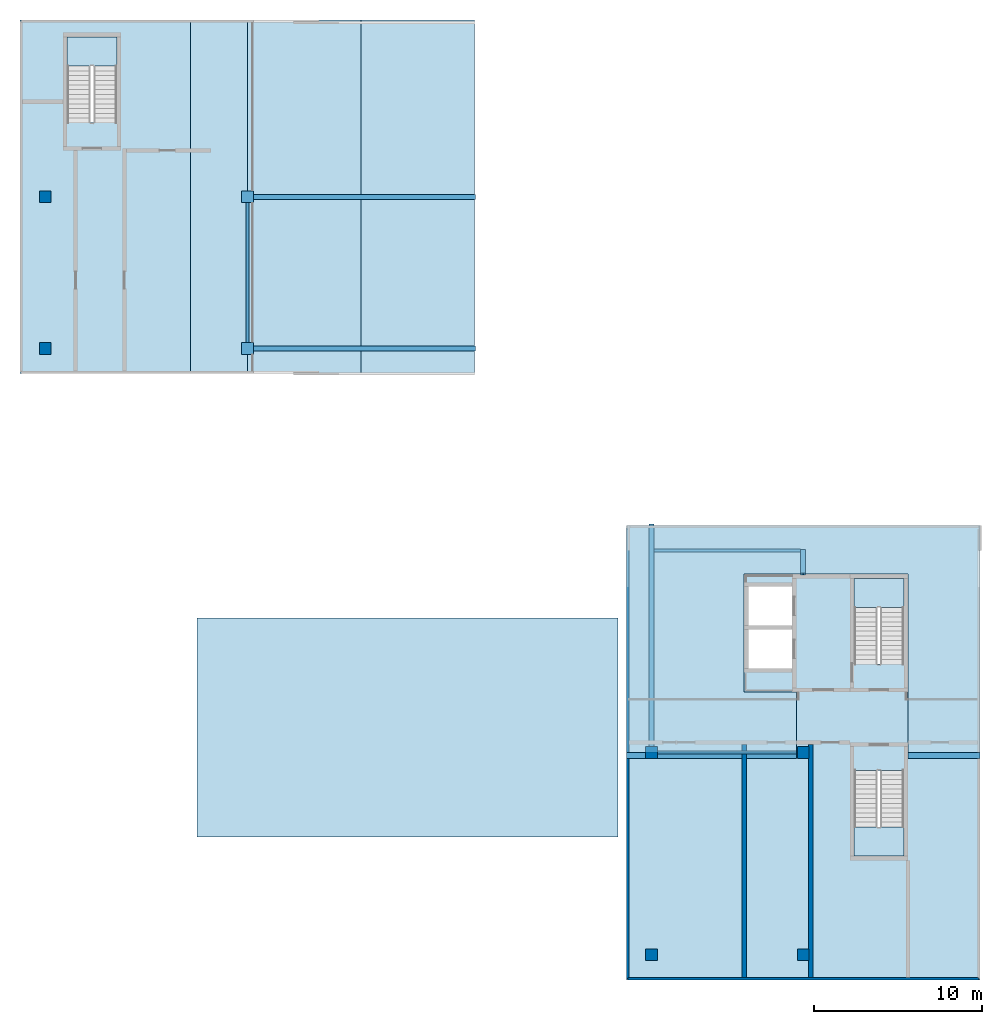
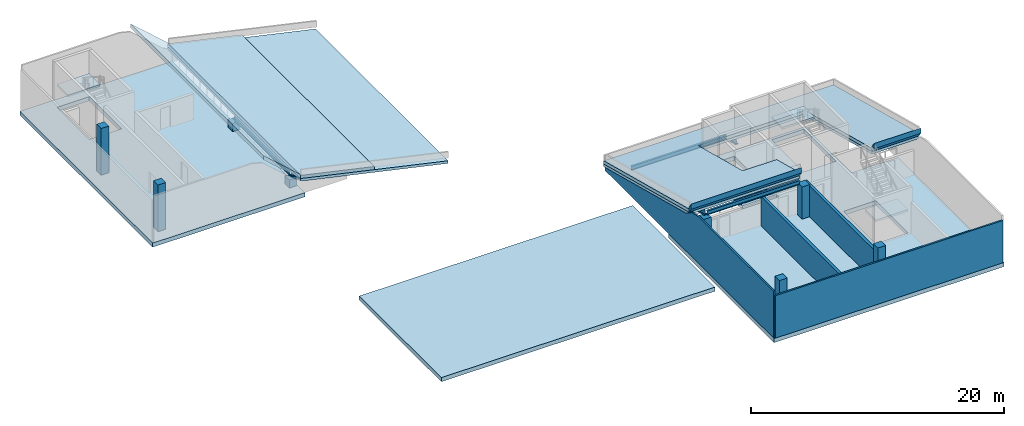
# One storey, part 1 of 4: 13 slabs, 8 columns, 7 beams, 4 walls, 3 elements without a shape of their own.
"""IFC4 building model written with IfcOpenShell, lengths in metres."""

from ifc_helpers import new_model, si_unit, direction, frame, frame_2d, origin, origin_2d, place, context, subcontext, project, spatial, polyline, rectangle, i_section, outline, extrude, material, layer, layer_set, material_profile, profile_set, type_object, element, aggregate, save


model = new_model("IFC4")

# Units and contexts
model_context = context("Model", 3, precision=1e-05, world=origin(), true_north=direction((0.0, 1.0)))
body_context = subcontext(model_context, "Body", "Model", "MODEL_VIEW")
ifc_project = project(units=[si_unit("LENGTHUNIT", "METRE"), si_unit("AREAUNIT", "SQUARE_METRE"), si_unit("VOLUMEUNIT", "CUBIC_METRE"), si_unit("PLANEANGLEUNIT", "RADIAN"), si_unit("MASSUNIT", "GRAM", prefix="KILO")], contexts=[model_context])

# Site, building, storey
site_placement = place(None, origin())
site = spatial("IfcSite", under=ifc_project, at=site_placement, CompositionType="ELEMENT")
building_placement = place(site_placement, origin())
building = spatial("IfcBuilding", under=site, at=building_placement, Name="Chenar Terraces", CompositionType="ELEMENT")
storey_placement = place(building_placement, frame((0.0, 0.0, 388.89990234375)))
storey = spatial("IfcBuildingStorey", under=building, at=storey_placement, Name="L91", CompositionType="ELEMENT", Elevation=388.89990234375)

# Columns
ifc_material_1 = material(Name="Concrete C40/50", Category="concrete")
ifc_material_profile_1 = material_profile(ifc_material_1, rectangle(XDim=0.699951171875, YDim=0.699951171875, at=origin_2d()), Name="C 700 x 700")
ifc_profile_set_1 = profile_set([ifc_material_profile_1], Name="Concrete C40/50")
column_type = type_object("IfcColumnType", Name="Column C 700 x 700 Concrete C40/50", PredefinedType="COLUMN", material=ifc_profile_set_1)
column_1_placement = place(storey_placement, frame((36.0, 0.0, 0.0), z_axis=(0.0, 0.0, 1.0), x_axis=(1.0, 0.0, 0.0)))
element("IfcColumn", 1, at=column_1_placement, inside=storey, type_object=column_type, Name="Column 8/E L91", PredefinedType="COLUMN", context=body_context, shape_type="SweptSolid", body=[
    extrude(rectangle(XDim=0.699951171875, YDim=0.699951171875, at=origin_2d()), origin(), (0.0, 0.0, 1.0), 4.5),
])
column_2_placement = place(storey_placement, frame((36.0, 12.0, 0.0), z_axis=(0.0, 0.0, 1.0), x_axis=(1.0, 0.0, 0.0)))
element("IfcColumn", 2, at=column_2_placement, inside=storey, type_object=column_type, Name="Column 8/F L91", PredefinedType="COLUMN", context=body_context, shape_type="SweptSolid", body=[
    extrude(rectangle(XDim=0.699951171875, YDim=0.699951171875, at=origin_2d()), origin(), (0.0, 0.0, 1.0), 3.12060546875),
])
column_3_placement = place(storey_placement, frame((45.0, 0.0, 0.0), z_axis=(0.0, 0.0, 1.0), x_axis=(1.0, 0.0, 0.0)))
element("IfcColumn", 3, at=column_3_placement, inside=storey, type_object=column_type, Name="Column 9/E L91", PredefinedType="COLUMN", context=body_context, shape_type="SweptSolid", body=[
    extrude(rectangle(XDim=0.699951171875, YDim=0.699951171875, at=origin_2d()), origin(), (0.0, 0.0, 1.0), 4.5),
])
column_4_placement = place(storey_placement, frame((45.0, 12.0, 0.0), z_axis=(0.0, 0.0, 1.0), x_axis=(1.0, 0.0, 0.0)))
element("IfcColumn", 4, at=column_4_placement, inside=storey, type_object=column_type, Name="Column 9/F L91", PredefinedType="COLUMN", context=body_context, shape_type="SweptSolid", body=[
    extrude(rectangle(XDim=0.699951171875, YDim=0.699951171875, at=origin_2d()), origin(), (0.0, 0.0, 1.0), 3.12060546875),
])
for number, where, z_axis, x_axis, name in (
    (5, (0.0, 36.0, 0.0), (0.0, 0.0, 1.0), (1.0, 0.0, 0.0), "Column 5/H L91"),
    (6, (0.0, 45.0, 0.0), (0.0, 0.0, 1.0), (1.0, 0.0, 0.0), "Column 5/J L91"),
):
    element("IfcColumn", number, at=place(storey_placement, frame(where, z_axis=z_axis, x_axis=x_axis)), inside=storey, type_object=column_type, Name=name, PredefinedType="COLUMN", context=body_context, shape_type="SweptSolid", body=[
        extrude(rectangle(XDim=0.699951171875, YDim=0.699951171875, at=origin_2d()), origin(), (0.0, 0.0, 1.0), 4.5),
    ])
for number, where, z_axis, x_axis, name in (
    (7, (12.0, 36.0, 0.0), (0.0, 0.0, 1.0), (1.0, 0.0, 0.0), "Column 6/H L91"),
    (8, (12.0, 45.0, 0.0), (0.0, 0.0, 1.0), (1.0, 0.0, 0.0), "Column 6/J L91"),
):
    element("IfcColumn", number, at=place(storey_placement, frame(where, z_axis=z_axis, x_axis=x_axis)), inside=storey, type_object=column_type, Name=name, PredefinedType="COLUMN", context=body_context, shape_type="SweptSolid", body=[
        extrude(rectangle(XDim=0.699951171875, YDim=0.699951171875, at=origin_2d()), origin(), (0.0, 0.0, 1.0), 0.774169921875),
    ])

# Beams
ifc_material_2 = material(Name="Structural steel S355", Category="steel")
ifc_material_profile_2 = material_profile(ifc_material_2, i_section(OverallWidth=0.169921875, OverallDepth=0.360107421875, WebThickness=0.008056640625, FlangeThickness=0.0126953125, FilletRadius=0.01806640625, at=origin_2d()), Name="IPE 360")
ifc_profile_set_2 = profile_set([ifc_material_profile_2], Name="Structural steel S355")
beam_type_1 = type_object("IfcBeamType", Name="Peak roof purlin IPE 360 S355", PredefinedType="BEAM", material=ifc_profile_set_2)
beam_1_placement = place(storey_placement, frame((12.0, 36.14990234375, 0.989990234375), z_axis=(0.0, 1.0, 0.0), x_axis=(-1.0, 0.0, 0.0)))
element("IfcBeam", 9, at=beam_1_placement, inside=storey, type_object=beam_type_1, Name="Peak roof purlin B 3", PredefinedType="BEAM", context=body_context, shape_type="SweptSolid", body=[
    extrude(i_section(OverallWidth=0.169921875, OverallDepth=0.360107421875, WebThickness=0.008056640625, FlangeThickness=0.0126953125, FilletRadius=0.01806640625, at=origin_2d()), origin(), (0.0, 0.0, 1.0), 8.7001953125),
])
ifc_material_3 = material(Name="Structural steel S355", Category="steel")
ifc_material_profile_3 = material_profile(ifc_material_3, i_section(OverallWidth=0.179931640625, OverallDepth=0.39990234375, WebThickness=0.008544921875, FlangeThickness=0.013427734375, FilletRadius=0.02099609375, at=origin_2d()), Name="IPE 400")
ifc_profile_set_3 = profile_set([ifc_material_profile_3], Name="Structural steel S355")
beam_type_2 = type_object("IfcBeamType", Name="Peak roof purlin IPE 400 S355", PredefinedType="BEAM", material=ifc_profile_set_3)
beam_2_placement = place(storey_placement, frame((36.14990234375, 24.0, 0.43359375), z_axis=(1.0, 0.0, 0.0), x_axis=(0.0, 1.0, 0.0)))
element("IfcBeam", 10, at=beam_2_placement, inside=storey, type_object=beam_type_2, Name="Peak roof purlin A 2", PredefinedType="BEAM", context=body_context, shape_type="SweptSolid", body=[
    extrude(i_section(OverallWidth=0.179931640625, OverallDepth=0.39990234375, WebThickness=0.008544921875, FlangeThickness=0.013427734375, FilletRadius=0.02099609375, at=origin_2d()), origin(), (0.0, 0.0, 1.0), 8.7001953125),
])
beam_3_placement = place(storey_placement, frame((36.14990234375, 12.0, 3.40478515625), z_axis=(1.0, 0.0, 0.0), x_axis=(0.0, 1.0, 0.0)))
element("IfcBeam", 11, at=beam_3_placement, inside=storey, type_object=beam_type_2, Name="Peak roof purlin A 3", PredefinedType="BEAM", context=body_context, shape_type="SweptSolid", body=[
    extrude(i_section(OverallWidth=0.179931640625, OverallDepth=0.39990234375, WebThickness=0.008544921875, FlangeThickness=0.013427734375, FilletRadius=0.02099609375, at=origin_2d()), origin(), (0.0, 0.0, 1.0), 8.4501953125),
])
ifc_material_4 = material(Name="Structural steel S355", Category="steel")
ifc_material_profile_4 = material_profile(ifc_material_4, i_section(OverallWidth=0.300048828125, OverallDepth=0.39990234375, WebThickness=0.013427734375, FlangeThickness=0.02392578125, FilletRadius=0.027099609375, at=origin_2d()), Name="HEB 400")
ifc_profile_set_4 = profile_set([ifc_material_profile_4], Name="Structural steel S355")
beam_type_3 = type_object("IfcBeamType", Name="Peak roof rafter HEB 400 S355", PredefinedType="BEAM", material=ifc_profile_set_4)
for number, where, z_axis, x_axis, name in (
    (12, (25.5, 36.0, -1.9609375), (-0.976127211362, 0.0, 0.217199602297), (0.0, -1.0, 0.0), "Peak roof rafter B1 part 1"),
    (13, (25.5, 45.0, -1.9609375), (-0.976127211362, 0.0, 0.217199602297), (0.0, -1.0, 0.0), "Peak roof rafter B2 part 1"),
):
    element("IfcBeam", number, at=place(storey_placement, frame(where, z_axis=z_axis, x_axis=x_axis)), inside=storey, type_object=beam_type_3, Name=name, PredefinedType="BEAM", context=body_context, shape_type="SweptSolid", body=[
        extrude(i_section(OverallWidth=0.300048828125, OverallDepth=0.39990234375, WebThickness=0.013427734375, FlangeThickness=0.02392578125, FilletRadius=0.027099609375, at=origin_2d()), origin(), (0.0, 0.0, 1.0), 13.830078125),
    ])
ifc_material_5 = material(Name="Structural steel S355", Category="steel")
ifc_material_profile_5 = material_profile(ifc_material_5, i_section(OverallWidth=0.300048828125, OverallDepth=0.5, WebThickness=0.014404296875, FlangeThickness=0.028076171875, FilletRadius=0.027099609375, at=origin_2d()), Name="HEB 500")
ifc_profile_set_5 = profile_set([ifc_material_profile_5], Name="Structural steel S355")
beam_type_4 = type_object("IfcBeamType", Name="Peak roof rafter HEB 500 S355", PredefinedType="BEAM", material=ifc_profile_set_5)
beam_4_placement = place(storey_placement, frame((36.0, 25.5, -0.0166015625), z_axis=(0.0, -0.967536208052, 0.252732439762), x_axis=(1.0, 0.0, 0.0)))
element("IfcBeam", 14, at=beam_4_placement, inside=storey, type_object=beam_type_4, Name="Peak roof rafter A1 part 1", PredefinedType="BEAM", context=body_context, shape_type="SweptSolid", body=[
    extrude(i_section(OverallWidth=0.300048828125, OverallDepth=0.5, WebThickness=0.014404296875, FlangeThickness=0.028076171875, FilletRadius=0.027099609375, at=origin_2d()), origin(), (0.0, 0.0, 1.0), 13.952880859375),
])
beam_5_placement = place(storey_placement, frame((45.0, 24.0, 0.375244140625), z_axis=(0.0, -0.967527617537, 0.252765324567), x_axis=(1.0, 0.0, 0.0)))
element("IfcBeam", 15, at=beam_5_placement, inside=storey, type_object=beam_type_4, Name="Peak roof rafter A2 part 1", PredefinedType="BEAM", context=body_context, shape_type="SweptSolid", body=[
    extrude(i_section(OverallWidth=0.300048828125, OverallDepth=0.5, WebThickness=0.014404296875, FlangeThickness=0.028076171875, FilletRadius=0.027099609375, at=origin_2d()), origin(), (0.0, 0.0, 1.0), 1.44677734375),
])

# Stair, slab
ifc_material_6 = material(Name="Reinforced concrete C40/50", Category="concrete")
stair_type = type_object("IfcStairType", Name="Core stair 1400 half-turn", PredefinedType="HALF_TURN_STAIR", material=ifc_material_6)
placement_1 = place(storey_placement, origin())
stair_1 = element("IfcStair", 16, at=placement_1, inside=storey, type_object=stair_type, Name="L91 Stair 3", PredefinedType="HALF_TURN_STAIR")
ifc_material_7 = material(Name="Reinforced concrete C40/50", Category="concrete")
ifc_layer_1 = layer(ifc_material_7, 0.199951171875)
ifc_layer_set_1 = layer_set([ifc_layer_1], Name="Reinforced concrete C40/50")
slab_type_1 = type_object("IfcSlabType", Name="Core stair landing 200", PredefinedType="LANDING", material=ifc_layer_set_1)
placement_2 = place(storey_placement, frame((0.0, 0.0, 2.050048828125)))
slab_1 = element("IfcSlab", 17, at=placement_2, type_object=slab_type_1, Name="ST3 landing 1", PredefinedType="LANDING", context=body_context, shape_type="SweptSolid", body=[
    extrude(outline(polyline([(50.97509765625, 20.610107421875), (50.97509765625, 22.35009765625), (48.02490234375, 22.35009765625), (48.02490234375, 20.610107421875), (50.97509765625, 20.610107421875)])), origin(), (0.0, 0.0, 1.0), 0.199951171875),
])
aggregate(stair_1, [slab_1])

stair_2 = element("IfcStair", 18, at=placement_1, inside=storey, type_object=stair_type, Name="L91 Stair 5", PredefinedType="HALF_TURN_STAIR")
slab_2 = element("IfcSlab", 19, at=placement_2, type_object=slab_type_1, Name="ST5 landing 1", PredefinedType="LANDING", context=body_context, shape_type="SweptSolid", body=[
    extrude(outline(polyline([(48.02490234375, 7.590087890625), (48.02490234375, 5.85009765625), (50.97509765625, 5.85009765625), (50.97509765625, 7.590087890625), (48.02490234375, 7.590087890625)])), origin(), (0.0, 0.0, 1.0), 0.199951171875),
])
aggregate(stair_2, [slab_2])

stair_3 = element("IfcStair", 20, at=placement_1, inside=storey, type_object=stair_type, Name="L91 Stair 6", PredefinedType="HALF_TURN_STAIR")
slab_3 = element("IfcSlab", 21, at=placement_2, type_object=slab_type_1, Name="ST6 landing 1", PredefinedType="LANDING", context=body_context, shape_type="SweptSolid", body=[
    extrude(outline(polyline([(4.25, 52.760009765625), (4.25, 54.5), (1.300048828125, 54.5), (1.300048828125, 52.760009765625), (4.25, 52.760009765625)])), origin(), (0.0, 0.0, 1.0), 0.199951171875),
])
aggregate(stair_3, [slab_3])

# Slabs
ifc_material_8 = material(Name="Concrete C40/50", Category="concrete")
ifc_layer_2 = layer(ifc_material_8, 0.39990234375)
ifc_layer_set_2 = layer_set([ifc_layer_2], Name="Concrete C40/50")
slab_type_2 = type_object("IfcSlabType", Name="Floor slab 400 Concrete C40/50", PredefinedType="FLOOR", material=ifc_layer_set_2)
placement_3 = place(storey_placement, frame((0.0, 0.0, -0.39990234375)))
element("IfcSlab", 22, at=placement_3, inside=storey, type_object=slab_type_2, Name="Floor slab L91", PredefinedType="FLOOR", context=body_context, shape_type="SweptSolid", body=[
    extrude(outline(polyline([(34.5, -1.5), (34.5, 15.25), (44.60009765625, 15.25), (44.60009765625, 15.60009765625), (41.5, 15.60009765625), (41.5, 22.60009765625), (47.77490234375, 22.60009765625), (51.22509765625, 22.60009765625), (51.22509765625, 15.60009765625), (51.22509765625, 15.25), (55.5, 15.25), (55.5, -1.5), (34.5, -1.5)]), holes=[polyline([(50.97509765625, 10.949951171875), (48.02490234375, 10.949951171875), (48.02490234375, 5.85009765625), (50.97509765625, 5.85009765625), (50.97509765625, 10.949951171875)]), polyline([(41.75, 17.0), (44.35009765625, 17.0), (44.35009765625, 19.300048828125), (41.75, 19.300048828125), (41.75, 17.0)]), polyline([(48.02490234375, 17.25), (50.97509765625, 17.25), (50.97509765625, 22.35009765625), (48.02490234375, 22.35009765625), (48.02490234375, 17.25)]), polyline([(41.75, 21.85009765625), (41.75, 19.550048828125), (44.35009765625, 19.550048828125), (44.35009765625, 21.85009765625), (41.75, 21.85009765625)])]), origin(), (0.0, 0.0, 1.0), 0.39990234375),
])
element("IfcSlab", 23, at=placement_3, inside=storey, type_object=slab_type_2, Name="Floor slab L91 part 2", PredefinedType="FLOOR", context=body_context, shape_type="SweptSolid", body=[
    extrude(outline(polyline([(12.39990234375, 55.5), (12.39990234375, 34.5), (-1.5, 34.5), (-1.5, 55.5), (12.39990234375, 55.5)]), holes=[polyline([(1.300048828125, 54.5), (1.300048828125, 49.39990234375), (4.25, 49.39990234375), (4.25, 54.5), (1.300048828125, 54.5)])]), origin(), (0.0, 0.0, 1.0), 0.39990234375),
])
ifc_material_9 = material(Name="Concrete C40/50", Category="concrete")
ifc_layer_3 = layer(ifc_material_9, 0.25)
ifc_layer_set_3 = layer_set([ifc_layer_3], Name="Concrete C40/50")
slab_type_3 = type_object("IfcSlabType", Name="Roof deck 250 Concrete C40/50", PredefinedType="ROOF", material=ifc_layer_set_3)
slab_6_placement = place(storey_placement, frame((51.22509765625, 12.60009765625, 3.869873046875), z_axis=(1.93261e-07, 0.252749618472, 0.967531720597), x_axis=(0.0, 0.967531720597, -0.252749618472)))
element("IfcSlab", 24, at=slab_6_placement, inside=storey, type_object=slab_type_3, Name="Roof deck peak A facet 1", PredefinedType="ROOF", context=body_context, shape_type="SweptSolid", body=[
    extrude(outline(polyline([(0.0, 0.0), (3.1006728657218168, 5.293955920339377e-23), (10.335576219072724, 1.0587911840678754e-22), (10.335576219073275, 3.4501953124999356), (10.335576219074277, 9.725097656249819), (3.100672865723369, 9.725097656249819), (3.100672865722874, 6.6249999999998765), (-0.6202290586628956, 6.624999999995106), (-0.6202290586612835, 16.725097656244916), (13.332798837086894, 16.725097656244916), (13.332798837083542, -4.2749023437546905), (-0.6202290586646353, -4.2749023437546905), (-0.620229058663953, -4.770168340097396e-12), (0.0, 0.0)])), origin(), (0.252749618472, -1.86986e-07, -0.967531720597), 0.25830078125),
])
slab_7_placement = place(storey_placement, frame((25.5, 34.5, -1.5), z_axis=(0.217199602297, 0.0, 0.976127211362), x_axis=(0.0, 1.0, 0.0)))
element("IfcSlab", 25, at=slab_7_placement, inside=storey, type_object=slab_type_3, Name="Roof deck peak B facet 1", PredefinedType="ROOF", context=body_context, shape_type="SweptSolid", body=[
    extrude(outline(polyline([(0.0, 0.0), (21.0, 0.0), (21.0, 13.830164596229109), (0.0, 13.830164596229109), (0.0, 0.0)])), origin(), (0.0, -0.217199602297, -0.976127211362), 0.256103515625),
])
ifc_material_10 = material(Name="Concrete C40/50", Category="concrete")
ifc_layer_4 = layer(ifc_material_10, 0.39990234375)
ifc_layer_set_4 = layer_set([ifc_layer_4], Name="Concrete C40/50")
slab_type_4 = type_object("IfcSlabType", Name="Roof slab 400 Concrete C40/50", PredefinedType="ROOF", material=ifc_layer_set_4)
element("IfcSlab", 26, at=placement_3, inside=storey, type_object=slab_type_4, Name="Roof slab over the machine rooms", PredefinedType="ROOF", context=body_context, shape_type="SweptSolid", body=[
    extrude(outline(polyline([(34.0, 7.0), (34.0, 20.0), (9.0, 20.0), (9.0, 7.0), (34.0, 7.0)])), origin(), (0.0, 0.0, 1.0), 0.39990234375),
])
ifc_material_11 = material(Name="Terracotta roof tile on insulated deck", Category="masonry")
ifc_layer_5 = layer(ifc_material_11, 0.300048828125)
ifc_layer_set_5 = layer_set([ifc_layer_5], Name="Terracotta roof tile on insulated deck")
slab_type_5 = type_object("IfcSlabType", Name="Terracotta roof tile 300", PredefinedType="ROOF", material=ifc_layer_set_5)
slab_9_placement = place(storey_placement, frame((51.22509765625, 15.60009765625, 3.396240234375), z_axis=(1.93262e-07, 0.252725378985, 0.967538052387), x_axis=(5e-12, 0.967538052387, -0.252725378985)))
element("IfcSlab", 27, at=slab_9_placement, inside=storey, type_object=slab_type_5, Name="Terracotta roof tile", PredefinedType="ROOF", context=body_context, shape_type="SweptSolid", body=[
    extrude(outline(polyline([(0.0, 0.0), (7.234903351230124, -5.293955920339377e-23), (7.23490335121397, 3.4501953124999356), (7.23490335118459, 9.725097656249819), (-4.5534493815958336e-11, 9.725097656249819), (-3.101933082768101e-11, 6.6249999999998765), (-3.72090192394444, 6.624999999995106), (-3.7209019239917307, 16.725097656244916), (10.232064267134389, 16.72509765629057), (10.232064267232714, -4.274902343709039), (-3.720901923893405, -4.2749023437546905), (-3.720901923913421, -4.770199558757291e-12), (-3.1006728648129105, 0.0), (0.0, 0.0)])), origin(), (0.252725378985, -1.86988e-07, -0.967538052387), 0.31005859375),
])
slab_10_placement = place(storey_placement, frame((34.5, 12.0, 4.53271484375), z_axis=(0.0, 0.805201939056, 0.59300070602), x_axis=(1.0, 0.0, 0.0)))
element("IfcSlab", 28, at=slab_10_placement, inside=storey, type_object=slab_type_5, Name="Terracotta roof tile", PredefinedType="ROOF", context=body_context, shape_type="SweptSolid", body=[
    extrude(outline(polyline([(0.0, 0.0), (10.10009765625, 0.0), (10.10009765625, -0.5879129804752031), (0.0, -0.5879129804752031), (0.0, 0.0)])), origin(), (0.0, 0.805201939056, -0.59300070602), 0.505859375),
])
slab_11_placement = place(storey_placement, frame((51.22509765625, 12.0, 4.53271484375), z_axis=(0.0, 0.805201939056, 0.59300070602), x_axis=(1.0, 0.0, 0.0)))
element("IfcSlab", 29, at=slab_11_placement, inside=storey, type_object=slab_type_5, Name="Terracotta roof tile", PredefinedType="ROOF", context=body_context, shape_type="SweptSolid", body=[
    extrude(outline(polyline([(0.0, 0.0), (4.27490234375, 0.0), (4.27490234375, -0.5879129804752031), (0.0, -0.5879129804752031), (0.0, 0.0)])), origin(), (0.0, 0.805201939056, -0.59300070602), 0.505859375),
])
slab_12_placement = place(storey_placement, frame((12.0, 55.5, 1.811279296875), z_axis=(0.217199252336, 0.0, 0.976127289233), x_axis=(0.0, -1.0, 0.0)))
element("IfcSlab", 30, at=slab_12_placement, inside=storey, type_object=slab_type_5, Name="Terracotta roof tile", PredefinedType="ROOF", context=body_context, shape_type="SweptSolid", body=[
    extrude(outline(polyline([(0.0, 0.0), (21.0, 0.0), (21.0, 6.924085759156851), (0.0, 6.924085759156851), (0.0, 0.0)])), origin(), (0.0, 0.217199252336, -0.976127289233), 0.307373046875),
])
slab_13_placement = place(storey_placement, frame((12.0, 34.5, 1.90478515625), z_axis=(0.663209147233, 0.0, 0.748434116691), x_axis=(0.0, 1.0, 0.0)))
element("IfcSlab", 31, at=slab_13_placement, inside=storey, type_object=slab_type_5, Name="Terracotta roof tile", PredefinedType="ROOF", context=body_context, shape_type="SweptSolid", body=[
    extrude(outline(polyline([(0.0, 0.0), (21.0, 0.0), (21.0, 4.517570004123987), (0.0, 4.517570004123987), (0.0, 0.0)])), origin(), (0.0, -0.663209147233, -0.748434116691), 0.40087890625),
])

# Walls
ifc_material_12 = material(Name="Terracotta cladding on insulated backing", Category="masonry")
ifc_layer_6 = layer(ifc_material_12, 0.14990234375)
ifc_layer_set_6 = layer_set([ifc_layer_6], Name="Terracotta cladding on insulated backing")
wall_type_1 = type_object("IfcWallType", Name="Crown terracotta wall 150", PredefinedType="SOLIDWALL", material=ifc_layer_set_6)
wall_1_placement = place(storey_placement, frame((34.574951171875, 25.2763671875, 0.0), z_axis=(0.0, 0.0, 1.0), x_axis=(0.0, -1.0, 0.0)))
element("IfcWall", 32, at=wall_1_placement, inside=storey, type_object=wall_type_1, Name="Crown terracotta wall", PredefinedType="SOLIDWALL", context=body_context, shape_type="SweptSolid", body=[
    extrude(outline(polyline([(0.0, 0.0), (26.67626953125, 0.0), (26.676513671875, 4.5), (14.765380859375, 4.5), (13.772705078125, 4.279052734375), (12.7802734375, 3.63818359375), (11.78759765625, 3.379150390625), (10.794921875, 3.1201171875), (9.802490234375, 2.861083984375), (8.809814453125, 2.60107421875), (7.817138671875, 2.342041015625), (6.82470703125, 2.0830078125), (5.83203125, 1.822998046875), (4.83935546875, 1.564208984375), (3.8466796875, 1.30517578125), (2.854248046875, 1.046142578125), (1.86181640625, 0.7861328125), (0.869140625, 0.527099609375), (0.0, 0.300048828125), (0.0, 0.0)])), frame((0.0, 0.074951171875, 0.0), z_axis=(0.0, -1.0, 0.0), x_axis=(1.0, 0.0, 0.0)), (0.0, 0.0, 1.0), 0.14990234375),
])
wall_2_placement = place(storey_placement, frame((34.60009765625, -1.425048828125, 0.0), z_axis=(0.0, 0.0, 1.0), x_axis=(1.0, 0.0, 0.0)))
element("IfcWall", 33, at=wall_2_placement, inside=storey, type_object=wall_type_1, Name="Crown terracotta wall", PredefinedType="SOLIDWALL", context=body_context, shape_type="SweptSolid", body=[
    extrude(rectangle(XDim=20.7998046875, YDim=0.14990234375, at=frame_2d((10.39990234375, 0.0))), origin(), (0.0, 0.0, 1.0), 4.10009765625),
])
ifc_material_13 = material(Name="Fire-board and steel stud wall with mineral wool", Category="steel")
ifc_layer_7 = layer(ifc_material_13, 0.25)
ifc_layer_set_7 = layer_set([ifc_layer_7], Name="Fire-board and steel stud wall with mineral wool")
wall_type_2 = type_object("IfcWallType", Name="Plant room wall 250", PredefinedType="PARTITIONING", material=ifc_layer_set_7)
wall_3_placement = place(storey_placement, frame((41.5, -1.35009765625, 0.0), z_axis=(0.0, 0.0, 1.0), x_axis=(0.0, 1.0, 0.0)))
element("IfcWall", 34, at=wall_3_placement, inside=storey, type_object=wall_type_2, Name="Partition L91-006", PredefinedType="PARTITIONING", context=body_context, shape_type="SweptSolid", body=[
    extrude(rectangle(XDim=13.8251953125, YDim=0.25, at=frame_2d((6.91259765625, 0.0))), origin(), (0.0, 0.0, 1.0), 2.84716796875),
])
wall_4_placement = place(storey_placement, frame((45.449951171875, -1.35009765625, 0.0), z_axis=(0.0, 0.0, 1.0), x_axis=(0.0, 1.0, 0.0)))
element("IfcWall", 35, at=wall_4_placement, inside=storey, type_object=wall_type_2, Name="Partition L91-007", PredefinedType="PARTITIONING", context=body_context, shape_type="SweptSolid", body=[
    extrude(rectangle(XDim=13.8251953125, YDim=0.25, at=frame_2d((6.91259765625, 0.0))), origin(), (0.0, 0.0, 1.0), 2.983154296875),
])

save(model, "model.ifc")
